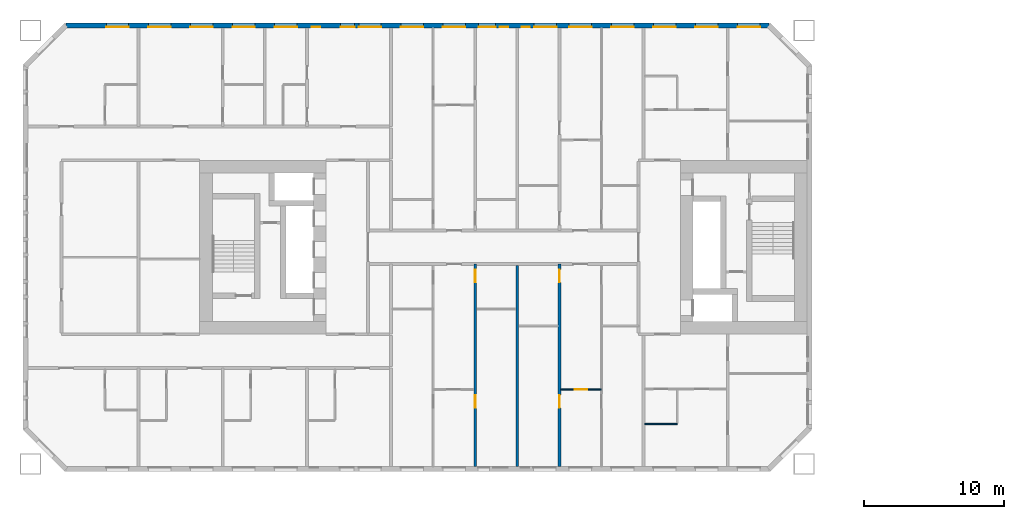
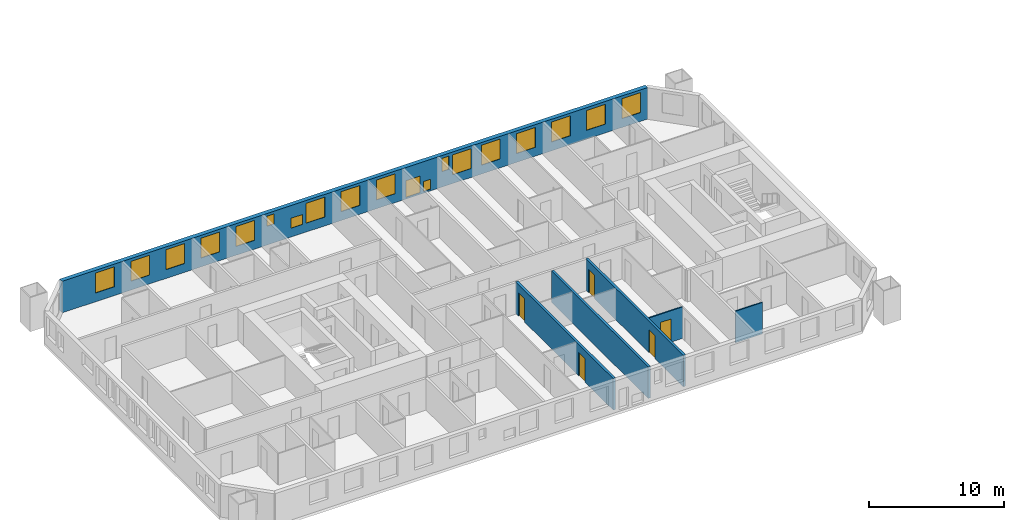
# One storey, part 6 of 18: 19 windows, 6 walls, 5 doors, 24 openings.
"""IFC4 building model written with IfcOpenShell, lengths in metres."""

from ifc_helpers import new_model, si_unit, direction, frame, frame_2d, origin, place, context, subcontext, project, spatial, rectangle, extrude, material, layer, layer_set, type_object, element, fill, save


model = new_model("IFC4")

# Units and contexts
model_context = context("Model", 3, precision=1e-05, world=origin(), true_north=direction((0.0, 1.0)))
body_context = subcontext(model_context, "Body", "Model", "MODEL_VIEW")
ifc_project = project(units=[si_unit("LENGTHUNIT", "METRE"), si_unit("AREAUNIT", "SQUARE_METRE"), si_unit("VOLUMEUNIT", "CUBIC_METRE"), si_unit("PLANEANGLEUNIT", "RADIAN"), si_unit("MASSUNIT", "GRAM", prefix="KILO")], contexts=[model_context])

# Site, building, storey
site_placement = place(None, origin())
site = spatial("IfcSite", under=ifc_project, at=site_placement, CompositionType="ELEMENT")
building_placement = place(site_placement, origin())
building = spatial("IfcBuilding", under=site, at=building_placement, Name="Tuart Gate Housing", CompositionType="ELEMENT")
storey_placement = place(building_placement, frame((0.0, 0.0, 31.89990234375)))
storey = spatial("IfcBuildingStorey", under=building, at=storey_placement, Name="L08", CompositionType="ELEMENT", Elevation=31.89990234375)

# Wall, openings, windows
ifc_material_1 = material(Name="Brick", Category="masonry")
ifc_layer_1 = layer(ifc_material_1, 0.360107421875)
ifc_layer_set_1 = layer_set([ifc_layer_1], Name="Brick pier and spandrel wall 360")
wall_type_1 = type_object("IfcWallType", Name="Brick pier and spandrel wall 360", PredefinedType="STANDARD", material=ifc_layer_set_1)
wall_1_placement = place(storey_placement, frame((72.92529296875, 85.820068359375, 0.0), z_axis=(0.0, 0.0, 1.0), x_axis=(-1.0, 0.0, 0.0)))
wall_1 = element("IfcWall", 1, at=wall_1_placement, inside=storey, type_object=wall_type_1, Name="External wall A-N L08", PredefinedType="STANDARD", context=body_context, shape_type="SweptSolid", body=[
    extrude(rectangle(XDim=50.100830078125, YDim=0.360107421875, at=frame_2d((25.05029296875, 0.0))), origin(), (0.0, 0.0, 1.0), 2.85009765625),
])
opening_1_placement = place(wall_1_placement, frame((0.62548828125, 0.0, 0.800048828125)))
opening_1 = element("IfcOpeningElement", 2, at=opening_1_placement, cuts=wall_1, Name="Opening W1", PredefinedType="OPENING", context=body_context, shape_type="SweptSolid", body=[
    extrude(rectangle(XDim=1.60009765625, YDim=1.800048828125, at=frame_2d((0.800048828125, 0.89990234375))), frame((0.0, 0.18994140625, 0.0), z_axis=(0.0, -1.0, 0.0), x_axis=(1.0, 0.0, 0.0)), (0.0, 0.0, 1.0), 0.380126953125),
])
opening_2_placement = place(wall_1_placement, frame((3.62548828125, 0.0, 0.800048828125)))
opening_2 = element("IfcOpeningElement", 3, at=opening_2_placement, cuts=wall_1, Name="Opening W1", PredefinedType="OPENING", context=body_context, shape_type="SweptSolid", body=[
    extrude(rectangle(XDim=1.60009765625, YDim=1.800048828125, at=frame_2d((0.800048828125, 0.89990234375))), frame((0.0, 0.18994140625, 0.0), z_axis=(0.0, -1.0, 0.0), x_axis=(1.0, 0.0, 0.0)), (0.0, 0.0, 1.0), 0.380126953125),
])
opening_3_placement = place(wall_1_placement, frame((6.62548828125, 0.0, 0.800048828125)))
opening_3 = element("IfcOpeningElement", 4, at=opening_3_placement, cuts=wall_1, Name="Opening W1", PredefinedType="OPENING", context=body_context, shape_type="SweptSolid", body=[
    extrude(rectangle(XDim=1.60009765625, YDim=1.800048828125, at=frame_2d((0.800048828125, 0.89990234375))), frame((0.0, 0.18994140625, 0.0), z_axis=(0.0, -1.0, 0.0), x_axis=(1.0, 0.0, 0.0)), (0.0, 0.0, 1.0), 0.380126953125),
])
opening_4_placement = place(wall_1_placement, frame((9.62548828125, 0.0, 0.800048828125)))
opening_4 = element("IfcOpeningElement", 5, at=opening_4_placement, cuts=wall_1, Name="Opening W1", PredefinedType="OPENING", context=body_context, shape_type="SweptSolid", body=[
    extrude(rectangle(XDim=1.60009765625, YDim=1.800048828125, at=frame_2d((0.800048828125, 0.89990234375))), frame((0.0, 0.18994140625, 0.0), z_axis=(0.0, -1.0, 0.0), x_axis=(1.0, 0.0, 0.0)), (0.0, 0.0, 1.0), 0.380126953125),
])
opening_5_placement = place(wall_1_placement, frame((12.62548828125, 0.0, 0.800048828125)))
opening_5 = element("IfcOpeningElement", 6, at=opening_5_placement, cuts=wall_1, Name="Opening W1", PredefinedType="OPENING", context=body_context, shape_type="SweptSolid", body=[
    extrude(rectangle(XDim=1.60009765625, YDim=1.800048828125, at=frame_2d((0.800048828125, 0.89990234375))), frame((0.0, 0.18994140625, 0.0), z_axis=(0.0, -1.0, 0.0), x_axis=(1.0, 0.0, 0.0)), (0.0, 0.0, 1.0), 0.380126953125),
])
opening_6_placement = place(wall_1_placement, frame((15.12548828125, 0.0, 0.800048828125)))
opening_6 = element("IfcOpeningElement", 7, at=opening_6_placement, cuts=wall_1, Name="Opening W1", PredefinedType="OPENING", context=body_context, shape_type="SweptSolid", body=[
    extrude(rectangle(XDim=1.60009765625, YDim=1.800048828125, at=frame_2d((0.800048828125, 0.89990234375))), frame((0.0, 0.18994140625, 0.0), z_axis=(0.0, -1.0, 0.0), x_axis=(1.0, 0.0, 0.0)), (0.0, 0.0, 1.0), 0.380126953125),
])
opening_7_placement = place(wall_1_placement, frame((18.575439453125, 0.0, 0.14990234375)))
opening_7 = element("IfcOpeningElement", 8, at=opening_7_placement, cuts=wall_1, Name="Opening W1W", PredefinedType="OPENING", context=body_context, shape_type="SweptSolid", body=[
    extrude(rectangle(XDim=0.60009765625, YDim=0.89990234375, at=frame_2d((0.300048828125, 0.449951171875))), frame((0.0, 0.18994140625, 0.0), z_axis=(0.0, -1.0, 0.0), x_axis=(1.0, 0.0, 0.0)), (0.0, 0.0, 1.0), 0.380126953125),
])
opening_8_placement = place(wall_1_placement, frame((21.62548828125, 0.0, 0.800048828125)))
opening_8 = element("IfcOpeningElement", 9, at=opening_8_placement, cuts=wall_1, Name="Opening W1", PredefinedType="OPENING", context=body_context, shape_type="SweptSolid", body=[
    extrude(rectangle(XDim=1.60009765625, YDim=1.800048828125, at=frame_2d((0.800048828125, 0.89990234375))), frame((0.0, 0.18994140625, 0.0), z_axis=(0.0, -1.0, 0.0), x_axis=(1.0, 0.0, 0.0)), (0.0, 0.0, 1.0), 0.380126953125),
])
opening_9_placement = place(wall_1_placement, frame((24.62548828125, 0.0, 0.800048828125)))
opening_9 = element("IfcOpeningElement", 10, at=opening_9_placement, cuts=wall_1, Name="Opening W1", PredefinedType="OPENING", context=body_context, shape_type="SweptSolid", body=[
    extrude(rectangle(XDim=1.60009765625, YDim=1.800048828125, at=frame_2d((0.800048828125, 0.89990234375))), frame((0.0, 0.18994140625, 0.0), z_axis=(0.0, -1.0, 0.0), x_axis=(1.0, 0.0, 0.0)), (0.0, 0.0, 1.0), 0.380126953125),
])
opening_10_placement = place(wall_1_placement, frame((27.62548828125, 0.0, 0.800048828125)))
opening_10 = element("IfcOpeningElement", 11, at=opening_10_placement, cuts=wall_1, Name="Opening W1", PredefinedType="OPENING", context=body_context, shape_type="SweptSolid", body=[
    extrude(rectangle(XDim=1.60009765625, YDim=1.800048828125, at=frame_2d((0.800048828125, 0.89990234375))), frame((0.0, 0.18994140625, 0.0), z_axis=(0.0, -1.0, 0.0), x_axis=(1.0, 0.0, 0.0)), (0.0, 0.0, 1.0), 0.380126953125),
])
opening_11_placement = place(wall_1_placement, frame((29.525390625, 0.0, 0.800048828125)))
opening_11 = element("IfcOpeningElement", 12, at=opening_11_placement, cuts=wall_1, Name="Opening W1U", PredefinedType="OPENING", context=body_context, shape_type="SweptSolid", body=[
    extrude(rectangle(XDim=1.0, YDim=0.89990234375, at=frame_2d((0.5, 0.449951171875))), frame((0.0, 0.18994140625, 0.0), z_axis=(0.0, -1.0, 0.0), x_axis=(1.0, 0.0, 0.0)), (0.0, 0.0, 1.0), 0.380126953125),
])
opening_12_placement = place(wall_1_placement, frame((33.62548828125, 0.0, 0.800048828125)))
opening_12 = element("IfcOpeningElement", 13, at=opening_12_placement, cuts=wall_1, Name="Opening W1", PredefinedType="OPENING", context=body_context, shape_type="SweptSolid", body=[
    extrude(rectangle(XDim=1.60009765625, YDim=1.800048828125, at=frame_2d((0.800048828125, 0.89990234375))), frame((0.0, 0.18994140625, 0.0), z_axis=(0.0, -1.0, 0.0), x_axis=(1.0, 0.0, 0.0)), (0.0, 0.0, 1.0), 0.380126953125),
])
opening_13_placement = place(wall_1_placement, frame((36.62548828125, 0.0, 0.800048828125)))
opening_13 = element("IfcOpeningElement", 14, at=opening_13_placement, cuts=wall_1, Name="Opening W1", PredefinedType="OPENING", context=body_context, shape_type="SweptSolid", body=[
    extrude(rectangle(XDim=1.60009765625, YDim=1.800048828125, at=frame_2d((0.800048828125, 0.89990234375))), frame((0.0, 0.18994140625, 0.0), z_axis=(0.0, -1.0, 0.0), x_axis=(1.0, 0.0, 0.0)), (0.0, 0.0, 1.0), 0.380126953125),
])
opening_14_placement = place(wall_1_placement, frame((39.62548828125, 0.0, 0.800048828125)))
opening_14 = element("IfcOpeningElement", 15, at=opening_14_placement, cuts=wall_1, Name="Opening W1", PredefinedType="OPENING", context=body_context, shape_type="SweptSolid", body=[
    extrude(rectangle(XDim=1.60009765625, YDim=1.800048828125, at=frame_2d((0.800048828125, 0.89990234375))), frame((0.0, 0.18994140625, 0.0), z_axis=(0.0, -1.0, 0.0), x_axis=(1.0, 0.0, 0.0)), (0.0, 0.0, 1.0), 0.380126953125),
])
opening_15_placement = place(wall_1_placement, frame((42.62548828125, 0.0, 0.800048828125)))
opening_15 = element("IfcOpeningElement", 16, at=opening_15_placement, cuts=wall_1, Name="Opening W1", PredefinedType="OPENING", context=body_context, shape_type="SweptSolid", body=[
    extrude(rectangle(XDim=1.60009765625, YDim=1.800048828125, at=frame_2d((0.800048828125, 0.89990234375))), frame((0.0, 0.18994140625, 0.0), z_axis=(0.0, -1.0, 0.0), x_axis=(1.0, 0.0, 0.0)), (0.0, 0.0, 1.0), 0.380126953125),
])
opening_16_placement = place(wall_1_placement, frame((45.62548828125, 0.0, 0.800048828125)))
opening_16 = element("IfcOpeningElement", 17, at=opening_16_placement, cuts=wall_1, Name="Opening W1", PredefinedType="OPENING", context=body_context, shape_type="SweptSolid", body=[
    extrude(rectangle(XDim=1.60009765625, YDim=1.800048828125, at=frame_2d((0.800048828125, 0.89990234375))), frame((0.0, 0.18994140625, 0.0), z_axis=(0.0, -1.0, 0.0), x_axis=(1.0, 0.0, 0.0)), (0.0, 0.0, 1.0), 0.380126953125),
])
opening_17_placement = place(wall_1_placement, frame((17.025390625, 0.0, 1.39990234375)))
opening_17 = element("IfcOpeningElement", 18, at=opening_17_placement, cuts=wall_1, Name="Opening W1Q", PredefinedType="OPENING", context=body_context, shape_type="SweptSolid", body=[
    extrude(rectangle(XDim=0.60009765625, YDim=1.199951171875, at=frame_2d((0.300048828125, 0.60009765625))), frame((0.0, 0.18994140625, 0.0), z_axis=(0.0, -1.0, 0.0), x_axis=(1.0, 0.0, 0.0)), (0.0, 0.0, 1.0), 0.380126953125),
])
opening_18_placement = place(wall_1_placement, frame((19.475341796875, 0.0, 0.14990234375)))
opening_18 = element("IfcOpeningElement", 19, at=opening_18_placement, cuts=wall_1, Name="Opening W1H", PredefinedType="OPENING", context=body_context, shape_type="SweptSolid", body=[
    extrude(rectangle(XDim=1.199951171875, YDim=1.5, at=frame_2d((0.60009765625, 0.75))), frame((0.0, 0.18994140625, 0.0), z_axis=(0.0, -1.0, 0.0), x_axis=(1.0, 0.0, 0.0)), (0.0, 0.0, 1.0), 0.380126953125),
])
opening_19_placement = place(wall_1_placement, frame((31.975341796875, 0.0, 1.699951171875)))
opening_19 = element("IfcOpeningElement", 20, at=opening_19_placement, cuts=wall_1, Name="Opening W1W", PredefinedType="OPENING", context=body_context, shape_type="SweptSolid", body=[
    extrude(rectangle(XDim=0.60009765625, YDim=0.89990234375, at=frame_2d((0.300048828125, 0.449951171875))), frame((0.0, 0.18994140625, 0.0), z_axis=(0.0, -1.0, 0.0), x_axis=(1.0, 0.0, 0.0)), (0.0, 0.0, 1.0), 0.380126953125),
])
ifc_material_2 = material(Name="Aluminium frame with clear glass", Category="aluminium")
window_type_1 = type_object("IfcWindowType", Name="Punched window 1000 x 900", PartitioningType="SINGLE_PANEL", PredefinedType="WINDOW", material=ifc_material_2)
window_1_placement = place(opening_11_placement, origin())
window_1 = element("IfcWindow", 21, at=window_1_placement, inside=storey, type_object=window_type_1, Name="Window W1U", OverallHeight=0.89990234375, OverallWidth=1.0, PartitioningType="SINGLE_PANEL", PredefinedType="WINDOW", context=body_context, shape_type="SweptSolid", body=[
    extrude(rectangle(XDim=1.0, YDim=0.89990234375, at=frame_2d((0.5, 0.449951171875))), frame((0.0, 0.150146484375, 0.0), z_axis=(0.0, -1.0, 0.0), x_axis=(1.0, 0.0, 0.0)), (0.0, 0.0, 1.0), 0.06005859375),
])
fill(opening_11, window_1)
ifc_material_3 = material(Name="Aluminium frame with clear glass", Category="aluminium")
window_type_2 = type_object("IfcWindowType", Name="Punched window 1200 x 1500", PartitioningType="SINGLE_PANEL", PredefinedType="WINDOW", material=ifc_material_3)
window_2_placement = place(opening_18_placement, origin())
window_2 = element("IfcWindow", 22, at=window_2_placement, inside=storey, type_object=window_type_2, Name="Window W1H", OverallHeight=1.5, OverallWidth=1.199951171875, PartitioningType="SINGLE_PANEL", PredefinedType="WINDOW", context=body_context, shape_type="SweptSolid", body=[
    extrude(rectangle(XDim=1.199951171875, YDim=1.5, at=frame_2d((0.60009765625, 0.75))), frame((0.0, 0.150146484375, 0.0), z_axis=(0.0, -1.0, 0.0), x_axis=(1.0, 0.0, 0.0)), (0.0, 0.0, 1.0), 0.06005859375),
])
fill(opening_18, window_2)
ifc_material_4 = material(Name="Aluminium frame with clear glass", Category="aluminium")
window_type_3 = type_object("IfcWindowType", Name="Punched window 1600 x 1800", PartitioningType="SINGLE_PANEL", PredefinedType="WINDOW", material=ifc_material_4)
window_3_placement = place(opening_1_placement, origin())
window_3 = element("IfcWindow", 23, at=window_3_placement, inside=storey, type_object=window_type_3, Name="Window W1", OverallHeight=1.800048828125, OverallWidth=1.60009765625, PartitioningType="SINGLE_PANEL", PredefinedType="WINDOW", context=body_context, shape_type="SweptSolid", body=[
    extrude(rectangle(XDim=1.60009765625, YDim=1.800048828125, at=frame_2d((0.800048828125, 0.89990234375))), frame((0.0, 0.150146484375, 0.0), z_axis=(0.0, -1.0, 0.0), x_axis=(1.0, 0.0, 0.0)), (0.0, 0.0, 1.0), 0.06005859375),
])
fill(opening_1, window_3)
window_4_placement = place(opening_2_placement, origin())
window_4 = element("IfcWindow", 24, at=window_4_placement, inside=storey, type_object=window_type_3, Name="Window W1", OverallHeight=1.800048828125, OverallWidth=1.60009765625, PartitioningType="SINGLE_PANEL", PredefinedType="WINDOW", context=body_context, shape_type="SweptSolid", body=[
    extrude(rectangle(XDim=1.60009765625, YDim=1.800048828125, at=frame_2d((0.800048828125, 0.89990234375))), frame((0.0, 0.150146484375, 0.0), z_axis=(0.0, -1.0, 0.0), x_axis=(1.0, 0.0, 0.0)), (0.0, 0.0, 1.0), 0.06005859375),
])
fill(opening_2, window_4)
window_5_placement = place(opening_3_placement, origin())
window_5 = element("IfcWindow", 25, at=window_5_placement, inside=storey, type_object=window_type_3, Name="Window W1", OverallHeight=1.800048828125, OverallWidth=1.60009765625, PartitioningType="SINGLE_PANEL", PredefinedType="WINDOW", context=body_context, shape_type="SweptSolid", body=[
    extrude(rectangle(XDim=1.60009765625, YDim=1.800048828125, at=frame_2d((0.800048828125, 0.89990234375))), frame((0.0, 0.150146484375, 0.0), z_axis=(0.0, -1.0, 0.0), x_axis=(1.0, 0.0, 0.0)), (0.0, 0.0, 1.0), 0.06005859375),
])
fill(opening_3, window_5)
window_6_placement = place(opening_4_placement, origin())
window_6 = element("IfcWindow", 26, at=window_6_placement, inside=storey, type_object=window_type_3, Name="Window W1", OverallHeight=1.800048828125, OverallWidth=1.60009765625, PartitioningType="SINGLE_PANEL", PredefinedType="WINDOW", context=body_context, shape_type="SweptSolid", body=[
    extrude(rectangle(XDim=1.60009765625, YDim=1.800048828125, at=frame_2d((0.800048828125, 0.89990234375))), frame((0.0, 0.150146484375, 0.0), z_axis=(0.0, -1.0, 0.0), x_axis=(1.0, 0.0, 0.0)), (0.0, 0.0, 1.0), 0.06005859375),
])
fill(opening_4, window_6)
window_7_placement = place(opening_5_placement, origin())
window_7 = element("IfcWindow", 27, at=window_7_placement, inside=storey, type_object=window_type_3, Name="Window W1", OverallHeight=1.800048828125, OverallWidth=1.60009765625, PartitioningType="SINGLE_PANEL", PredefinedType="WINDOW", context=body_context, shape_type="SweptSolid", body=[
    extrude(rectangle(XDim=1.60009765625, YDim=1.800048828125, at=frame_2d((0.800048828125, 0.89990234375))), frame((0.0, 0.150146484375, 0.0), z_axis=(0.0, -1.0, 0.0), x_axis=(1.0, 0.0, 0.0)), (0.0, 0.0, 1.0), 0.06005859375),
])
fill(opening_5, window_7)
window_8_placement = place(opening_6_placement, origin())
window_8 = element("IfcWindow", 28, at=window_8_placement, inside=storey, type_object=window_type_3, Name="Window W1", OverallHeight=1.800048828125, OverallWidth=1.60009765625, PartitioningType="SINGLE_PANEL", PredefinedType="WINDOW", context=body_context, shape_type="SweptSolid", body=[
    extrude(rectangle(XDim=1.60009765625, YDim=1.800048828125, at=frame_2d((0.800048828125, 0.89990234375))), frame((0.0, 0.150146484375, 0.0), z_axis=(0.0, -1.0, 0.0), x_axis=(1.0, 0.0, 0.0)), (0.0, 0.0, 1.0), 0.06005859375),
])
fill(opening_6, window_8)
window_9_placement = place(opening_8_placement, origin())
window_9 = element("IfcWindow", 29, at=window_9_placement, inside=storey, type_object=window_type_3, Name="Window W1", OverallHeight=1.800048828125, OverallWidth=1.60009765625, PartitioningType="SINGLE_PANEL", PredefinedType="WINDOW", context=body_context, shape_type="SweptSolid", body=[
    extrude(rectangle(XDim=1.60009765625, YDim=1.800048828125, at=frame_2d((0.800048828125, 0.89990234375))), frame((0.0, 0.150146484375, 0.0), z_axis=(0.0, -1.0, 0.0), x_axis=(1.0, 0.0, 0.0)), (0.0, 0.0, 1.0), 0.06005859375),
])
fill(opening_8, window_9)
window_10_placement = place(opening_9_placement, origin())
window_10 = element("IfcWindow", 30, at=window_10_placement, inside=storey, type_object=window_type_3, Name="Window W1", OverallHeight=1.800048828125, OverallWidth=1.60009765625, PartitioningType="SINGLE_PANEL", PredefinedType="WINDOW", context=body_context, shape_type="SweptSolid", body=[
    extrude(rectangle(XDim=1.60009765625, YDim=1.800048828125, at=frame_2d((0.800048828125, 0.89990234375))), frame((0.0, 0.150146484375, 0.0), z_axis=(0.0, -1.0, 0.0), x_axis=(1.0, 0.0, 0.0)), (0.0, 0.0, 1.0), 0.06005859375),
])
fill(opening_9, window_10)
window_11_placement = place(opening_10_placement, origin())
window_11 = element("IfcWindow", 31, at=window_11_placement, inside=storey, type_object=window_type_3, Name="Window W1", OverallHeight=1.800048828125, OverallWidth=1.60009765625, PartitioningType="SINGLE_PANEL", PredefinedType="WINDOW", context=body_context, shape_type="SweptSolid", body=[
    extrude(rectangle(XDim=1.60009765625, YDim=1.800048828125, at=frame_2d((0.800048828125, 0.89990234375))), frame((0.0, 0.150146484375, 0.0), z_axis=(0.0, -1.0, 0.0), x_axis=(1.0, 0.0, 0.0)), (0.0, 0.0, 1.0), 0.06005859375),
])
fill(opening_10, window_11)
window_12_placement = place(opening_12_placement, origin())
window_12 = element("IfcWindow", 32, at=window_12_placement, inside=storey, type_object=window_type_3, Name="Window W1", OverallHeight=1.800048828125, OverallWidth=1.60009765625, PartitioningType="SINGLE_PANEL", PredefinedType="WINDOW", context=body_context, shape_type="SweptSolid", body=[
    extrude(rectangle(XDim=1.60009765625, YDim=1.800048828125, at=frame_2d((0.800048828125, 0.89990234375))), frame((0.0, 0.150146484375, 0.0), z_axis=(0.0, -1.0, 0.0), x_axis=(1.0, 0.0, 0.0)), (0.0, 0.0, 1.0), 0.06005859375),
])
fill(opening_12, window_12)
window_13_placement = place(opening_13_placement, origin())
window_13 = element("IfcWindow", 33, at=window_13_placement, inside=storey, type_object=window_type_3, Name="Window W1", OverallHeight=1.800048828125, OverallWidth=1.60009765625, PartitioningType="SINGLE_PANEL", PredefinedType="WINDOW", context=body_context, shape_type="SweptSolid", body=[
    extrude(rectangle(XDim=1.60009765625, YDim=1.800048828125, at=frame_2d((0.800048828125, 0.89990234375))), frame((0.0, 0.150146484375, 0.0), z_axis=(0.0, -1.0, 0.0), x_axis=(1.0, 0.0, 0.0)), (0.0, 0.0, 1.0), 0.06005859375),
])
fill(opening_13, window_13)
window_14_placement = place(opening_14_placement, origin())
window_14 = element("IfcWindow", 34, at=window_14_placement, inside=storey, type_object=window_type_3, Name="Window W1", OverallHeight=1.800048828125, OverallWidth=1.60009765625, PartitioningType="SINGLE_PANEL", PredefinedType="WINDOW", context=body_context, shape_type="SweptSolid", body=[
    extrude(rectangle(XDim=1.60009765625, YDim=1.800048828125, at=frame_2d((0.800048828125, 0.89990234375))), frame((0.0, 0.150146484375, 0.0), z_axis=(0.0, -1.0, 0.0), x_axis=(1.0, 0.0, 0.0)), (0.0, 0.0, 1.0), 0.06005859375),
])
fill(opening_14, window_14)
window_15_placement = place(opening_15_placement, origin())
window_15 = element("IfcWindow", 35, at=window_15_placement, inside=storey, type_object=window_type_3, Name="Window W1", OverallHeight=1.800048828125, OverallWidth=1.60009765625, PartitioningType="SINGLE_PANEL", PredefinedType="WINDOW", context=body_context, shape_type="SweptSolid", body=[
    extrude(rectangle(XDim=1.60009765625, YDim=1.800048828125, at=frame_2d((0.800048828125, 0.89990234375))), frame((0.0, 0.150146484375, 0.0), z_axis=(0.0, -1.0, 0.0), x_axis=(1.0, 0.0, 0.0)), (0.0, 0.0, 1.0), 0.06005859375),
])
fill(opening_15, window_15)
window_16_placement = place(opening_16_placement, origin())
window_16 = element("IfcWindow", 36, at=window_16_placement, inside=storey, type_object=window_type_3, Name="Window W1", OverallHeight=1.800048828125, OverallWidth=1.60009765625, PartitioningType="SINGLE_PANEL", PredefinedType="WINDOW", context=body_context, shape_type="SweptSolid", body=[
    extrude(rectangle(XDim=1.60009765625, YDim=1.800048828125, at=frame_2d((0.800048828125, 0.89990234375))), frame((0.0, 0.150146484375, 0.0), z_axis=(0.0, -1.0, 0.0), x_axis=(1.0, 0.0, 0.0)), (0.0, 0.0, 1.0), 0.06005859375),
])
fill(opening_16, window_16)
ifc_material_5 = material(Name="Aluminium frame with clear glass", Category="aluminium")
window_type_4 = type_object("IfcWindowType", Name="Punched window 600 x 1200", PartitioningType="SINGLE_PANEL", PredefinedType="WINDOW", material=ifc_material_5)
window_17_placement = place(opening_17_placement, origin())
window_17 = element("IfcWindow", 37, at=window_17_placement, inside=storey, type_object=window_type_4, Name="Window W1Q", OverallHeight=1.199951171875, OverallWidth=0.60009765625, PartitioningType="SINGLE_PANEL", PredefinedType="WINDOW", context=body_context, shape_type="SweptSolid", body=[
    extrude(rectangle(XDim=0.60009765625, YDim=1.199951171875, at=frame_2d((0.300048828125, 0.60009765625))), frame((0.0, 0.150146484375, 0.0), z_axis=(0.0, -1.0, 0.0), x_axis=(1.0, 0.0, 0.0)), (0.0, 0.0, 1.0), 0.06005859375),
])
fill(opening_17, window_17)
ifc_material_6 = material(Name="Aluminium frame with clear glass", Category="aluminium")
window_type_5 = type_object("IfcWindowType", Name="Punched window 600 x 900", PartitioningType="SINGLE_PANEL", PredefinedType="WINDOW", material=ifc_material_6)
window_18_placement = place(opening_7_placement, origin())
window_18 = element("IfcWindow", 38, at=window_18_placement, inside=storey, type_object=window_type_5, Name="Window W1W", OverallHeight=0.89990234375, OverallWidth=0.60009765625, PartitioningType="SINGLE_PANEL", PredefinedType="WINDOW", context=body_context, shape_type="SweptSolid", body=[
    extrude(rectangle(XDim=0.60009765625, YDim=0.89990234375, at=frame_2d((0.300048828125, 0.449951171875))), frame((0.0, 0.150146484375, 0.0), z_axis=(0.0, -1.0, 0.0), x_axis=(1.0, 0.0, 0.0)), (0.0, 0.0, 1.0), 0.06005859375),
])
fill(opening_7, window_18)
window_19_placement = place(opening_19_placement, origin())
window_19 = element("IfcWindow", 39, at=window_19_placement, inside=storey, type_object=window_type_5, Name="Window W1W", OverallHeight=0.89990234375, OverallWidth=0.60009765625, PartitioningType="SINGLE_PANEL", PredefinedType="WINDOW", context=body_context, shape_type="SweptSolid", body=[
    extrude(rectangle(XDim=0.60009765625, YDim=0.89990234375, at=frame_2d((0.300048828125, 0.449951171875))), frame((0.0, 0.150146484375, 0.0), z_axis=(0.0, -1.0, 0.0), x_axis=(1.0, 0.0, 0.0)), (0.0, 0.0, 1.0), 0.06005859375),
])
fill(opening_19, window_19)

# Wall
ifc_material_7 = material(Name="Gypsum board on steel studs", Category="steel")
ifc_layer_2 = layer(ifc_material_7, 0.10009765625)
ifc_layer_set_2 = layer_set([ifc_layer_2], Name="Partition 100")
wall_type_2 = type_object("IfcWallType", Name="Partition 100", PredefinedType="PARTITIONING", material=ifc_layer_set_2)
wall_2_placement = place(storey_placement, frame((64.10009765625, 57.39990234375, 0.0), z_axis=(0.0, 0.0, 1.0), x_axis=(1.0, 0.0, 0.0)))
element("IfcWall", 40, at=wall_2_placement, inside=storey, type_object=wall_type_2, Name="Partition 100", PredefinedType="PARTITIONING", context=body_context, shape_type="SweptSolid", body=[
    extrude(rectangle(XDim=2.2998046875, YDim=0.10009765625, at=frame_2d((1.14990234375, 0.0))), origin(), (0.0, 0.0, 1.0), 2.85009765625),
])

# Wall, opening, door
wall_3_placement = place(storey_placement, frame((58.10009765625, 59.860107421875, 0.0), z_axis=(0.0, 0.0, 1.0), x_axis=(1.0, 0.0, 0.0)))
wall_3 = element("IfcWall", 41, at=wall_3_placement, inside=storey, type_object=wall_type_2, Name="Partition 100", PredefinedType="PARTITIONING", context=body_context, shape_type="SweptSolid", body=[
    extrude(rectangle(XDim=2.89990234375, YDim=0.10009765625, at=frame_2d((1.449951171875, 0.0))), origin(), (0.0, 0.0, 1.0), 2.85009765625),
])
opening_20_placement = place(wall_3_placement, frame((1.0, 0.0, 0.0)))
opening_20 = element("IfcOpeningElement", 42, at=opening_20_placement, cuts=wall_3, Name="Opening D526", PredefinedType="OPENING", context=body_context, shape_type="SweptSolid", body=[
    extrude(rectangle(XDim=0.89990234375, YDim=2.10009765625, at=frame_2d((0.449951171875, 1.050048828125))), frame((0.0, 0.06005859375, 0.0), z_axis=(0.0, -1.0, 0.0), x_axis=(1.0, 0.0, 0.0)), (0.0, 0.0, 1.0), 0.1201171875),
])
ifc_material_8 = material(Name="Timber door leaf in steel frame", Category="steel")
door_type_1 = type_object("IfcDoorType", Name="Internal door 900 RH", OperationType="SINGLE_SWING_RIGHT", PredefinedType="DOOR", material=ifc_material_8)
door_1_placement = place(opening_20_placement, origin())
door_1 = element("IfcDoor", 43, at=door_1_placement, inside=storey, type_object=door_type_1, Name="Internal door", OperationType="SINGLE_SWING_RIGHT", OverallHeight=2.10009765625, OverallWidth=0.89990234375, PredefinedType="DOOR", context=body_context, shape_type="SweptSolid", body=[
    extrude(rectangle(XDim=0.89990234375, YDim=2.10009765625, at=frame_2d((0.449951171875, 1.050048828125))), frame((0.0, 0.02490234375, 0.0), z_axis=(0.0, -1.0, 0.0), x_axis=(1.0, 0.0, 0.0)), (0.0, 0.0, 1.0), 0.050048828125),
])
fill(opening_20, door_1)

# Wall, openings, doors
ifc_material_9 = material(Name="Concrete C40", Category="concrete")
ifc_layer_3 = layer(ifc_material_9, 0.199951171875)
ifc_layer_set_3 = layer_set([ifc_layer_3], Name="Party wall concrete C40 200")
wall_type_3 = type_object("IfcWallType", Name="Party wall concrete C40 200", PredefinedType="SOLIDWALL", material=ifc_layer_set_3)
wall_4_placement = place(storey_placement, frame((52.0, 54.360107421875, 0.0), z_axis=(0.0, 0.0, 1.0), x_axis=(0.0, 1.0, 0.0)))
wall_4 = element("IfcWall", 44, at=wall_4_placement, inside=storey, type_object=wall_type_3, Name="Party wall concrete C40 200", PredefinedType="SOLIDWALL", context=body_context, shape_type="SweptSolid", body=[
    extrude(rectangle(XDim=14.43994140625, YDim=0.199951171875, at=frame_2d((7.219970703125, 0.0))), origin(), (0.0, 0.0, 1.0), 2.85009765625),
])
opening_21_placement = place(wall_4_placement, frame((4.199951171875, 0.0, 0.0)))
opening_21 = element("IfcOpeningElement", 45, at=opening_21_placement, cuts=wall_4, Name="Opening D511", PredefinedType="OPENING", context=body_context, shape_type="SweptSolid", body=[
    extrude(rectangle(XDim=0.89990234375, YDim=2.10009765625, at=frame_2d((0.449951171875, 1.050048828125))), frame((0.0, 0.10986328125, 0.0), z_axis=(0.0, -1.0, 0.0), x_axis=(1.0, 0.0, 0.0)), (0.0, 0.0, 1.0), 0.219970703125),
])
opening_22_placement = place(wall_4_placement, frame((13.139892578125, 0.0, 0.0)))
opening_22 = element("IfcOpeningElement", 46, at=opening_22_placement, cuts=wall_4, Name="Opening D510", PredefinedType="OPENING", context=body_context, shape_type="SweptSolid", body=[
    extrude(rectangle(XDim=0.89990234375, YDim=2.10009765625, at=frame_2d((0.449951171875, 1.050048828125))), frame((0.0, 0.10986328125, 0.0), z_axis=(0.0, -1.0, 0.0), x_axis=(1.0, 0.0, 0.0)), (0.0, 0.0, 1.0), 0.219970703125),
])
ifc_material_10 = material(Name="Timber door leaf in steel frame", Category="steel")
door_type_2 = type_object("IfcDoorType", Name="Bathroom door 900", OperationType="SINGLE_SWING_LEFT", PredefinedType="DOOR", material=ifc_material_10)
door_2_placement = place(opening_22_placement, frame((0.89990234375, 0.0, 0.0), z_axis=(0.0, 0.0, 1.0), x_axis=(-1.0, 0.0, 0.0)))
door_2 = element("IfcDoor", 47, at=door_2_placement, inside=storey, type_object=door_type_2, Name="Bathroom door", OperationType="SINGLE_SWING_LEFT", OverallHeight=2.10009765625, OverallWidth=0.89990234375, PredefinedType="DOOR", context=body_context, shape_type="SweptSolid", body=[
    extrude(rectangle(XDim=0.89990234375, YDim=2.10009765625, at=frame_2d((0.449951171875, 1.050048828125))), frame((0.0, 0.025146484375, 0.0), z_axis=(0.0, -1.0, 0.0), x_axis=(1.0, 0.0, 0.0)), (0.0, 0.0, 1.0), 0.050048828125),
])
fill(opening_22, door_2)
door_3_placement = place(opening_21_placement, frame((0.89990234375, 0.0, 0.0), z_axis=(0.0, 0.0, 1.0), x_axis=(-1.0, 0.0, 0.0)))
door_3 = element("IfcDoor", 48, at=door_3_placement, inside=storey, type_object=door_type_1, Name="Internal door", OperationType="SINGLE_SWING_RIGHT", OverallHeight=2.10009765625, OverallWidth=0.89990234375, PredefinedType="DOOR", context=body_context, shape_type="SweptSolid", body=[
    extrude(rectangle(XDim=0.89990234375, YDim=2.10009765625, at=frame_2d((0.449951171875, 1.050048828125))), frame((0.0, 0.025146484375, 0.0), z_axis=(0.0, -1.0, 0.0), x_axis=(1.0, 0.0, 0.0)), (0.0, 0.0, 1.0), 0.050048828125),
])
fill(opening_21, door_3)

wall_5_placement = place(storey_placement, frame((58.0, 54.360107421875, 0.0), z_axis=(0.0, 0.0, 1.0), x_axis=(0.0, 1.0, 0.0)))
wall_5 = element("IfcWall", 49, at=wall_5_placement, inside=storey, type_object=wall_type_3, Name="Party wall concrete C40 200", PredefinedType="SOLIDWALL", context=body_context, shape_type="SweptSolid", body=[
    extrude(rectangle(XDim=14.43994140625, YDim=0.199951171875, at=frame_2d((7.219970703125, 0.0))), origin(), (0.0, 0.0, 1.0), 2.85009765625),
])
opening_23_placement = place(wall_5_placement, frame((4.199951171875, 0.0, 0.0)))
opening_23 = element("IfcOpeningElement", 50, at=opening_23_placement, cuts=wall_5, Name="Opening D513", PredefinedType="OPENING", context=body_context, shape_type="SweptSolid", body=[
    extrude(rectangle(XDim=0.89990234375, YDim=2.10009765625, at=frame_2d((0.449951171875, 1.050048828125))), frame((0.0, 0.10986328125, 0.0), z_axis=(0.0, -1.0, 0.0), x_axis=(1.0, 0.0, 0.0)), (0.0, 0.0, 1.0), 0.219970703125),
])
opening_24_placement = place(wall_5_placement, frame((13.139892578125, 0.0, 0.0)))
opening_24 = element("IfcOpeningElement", 51, at=opening_24_placement, cuts=wall_5, Name="Opening D512", PredefinedType="OPENING", context=body_context, shape_type="SweptSolid", body=[
    extrude(rectangle(XDim=0.89990234375, YDim=2.10009765625, at=frame_2d((0.449951171875, 1.050048828125))), frame((0.0, 0.10986328125, 0.0), z_axis=(0.0, -1.0, 0.0), x_axis=(1.0, 0.0, 0.0)), (0.0, 0.0, 1.0), 0.219970703125),
])
ifc_material_11 = material(Name="Timber door leaf in steel frame", Category="steel")
door_type_3 = type_object("IfcDoorType", Name="Bathroom door 900 RH", OperationType="SINGLE_SWING_RIGHT", PredefinedType="DOOR", material=ifc_material_11)
door_4_placement = place(opening_24_placement, origin())
door_4 = element("IfcDoor", 52, at=door_4_placement, inside=storey, type_object=door_type_3, Name="Bathroom door", OperationType="SINGLE_SWING_RIGHT", OverallHeight=2.10009765625, OverallWidth=0.89990234375, PredefinedType="DOOR", context=body_context, shape_type="SweptSolid", body=[
    extrude(rectangle(XDim=0.89990234375, YDim=2.10009765625, at=frame_2d((0.449951171875, 1.050048828125))), frame((0.0, 0.02490234375, 0.0), z_axis=(0.0, -1.0, 0.0), x_axis=(1.0, 0.0, 0.0)), (0.0, 0.0, 1.0), 0.050048828125),
])
fill(opening_24, door_4)
ifc_material_12 = material(Name="Timber door leaf in steel frame", Category="steel")
door_type_4 = type_object("IfcDoorType", Name="Internal door 900", OperationType="SINGLE_SWING_LEFT", PredefinedType="DOOR", material=ifc_material_12)
door_5_placement = place(opening_23_placement, origin())
door_5 = element("IfcDoor", 53, at=door_5_placement, inside=storey, type_object=door_type_4, Name="Internal door", OperationType="SINGLE_SWING_LEFT", OverallHeight=2.10009765625, OverallWidth=0.89990234375, PredefinedType="DOOR", context=body_context, shape_type="SweptSolid", body=[
    extrude(rectangle(XDim=0.89990234375, YDim=2.10009765625, at=frame_2d((0.449951171875, 1.050048828125))), frame((0.0, 0.02490234375, 0.0), z_axis=(0.0, -1.0, 0.0), x_axis=(1.0, 0.0, 0.0)), (0.0, 0.0, 1.0), 0.050048828125),
])
fill(opening_23, door_5)

# Wall
ifc_material_13 = material(Name="Concrete masonry 15 MPa", Category="masonry")
ifc_layer_4 = layer(ifc_material_13, 0.199951171875)
ifc_layer_set_4 = layer_set([ifc_layer_4], Name="Party wall masonry 200")
wall_type_4 = type_object("IfcWallType", Name="Party wall masonry 200", PredefinedType="PARTITIONING", material=ifc_layer_set_4)
wall_6_placement = place(storey_placement, frame((55.0, 54.360107421875, 0.0), z_axis=(0.0, 0.0, 1.0), x_axis=(0.0, 1.0, 0.0)))
element("IfcWall", 54, at=wall_6_placement, inside=storey, type_object=wall_type_4, Name="Party wall masonry 200", PredefinedType="PARTITIONING", context=body_context, shape_type="SweptSolid", body=[
    extrude(rectangle(XDim=14.33984375, YDim=0.199951171875, at=frame_2d((7.169921875, 0.0))), origin(), (0.0, 0.0, 1.0), 2.85009765625),
])

save(model, "model.ifc")
